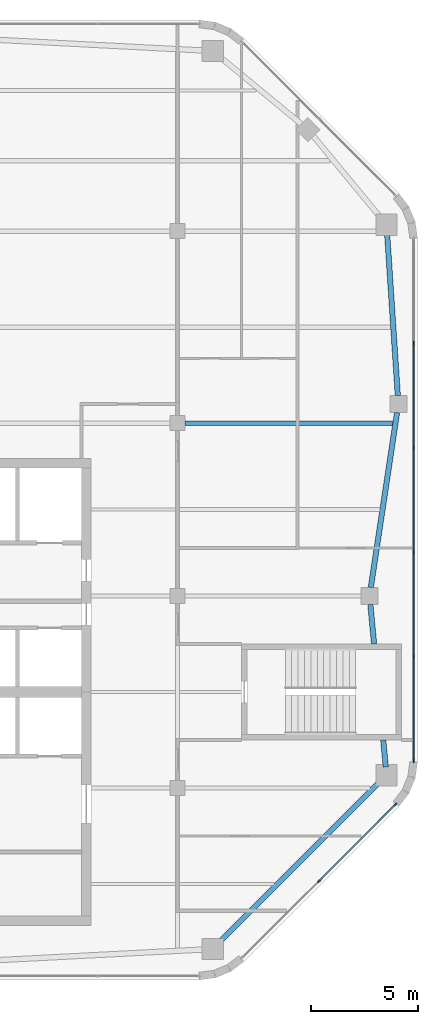
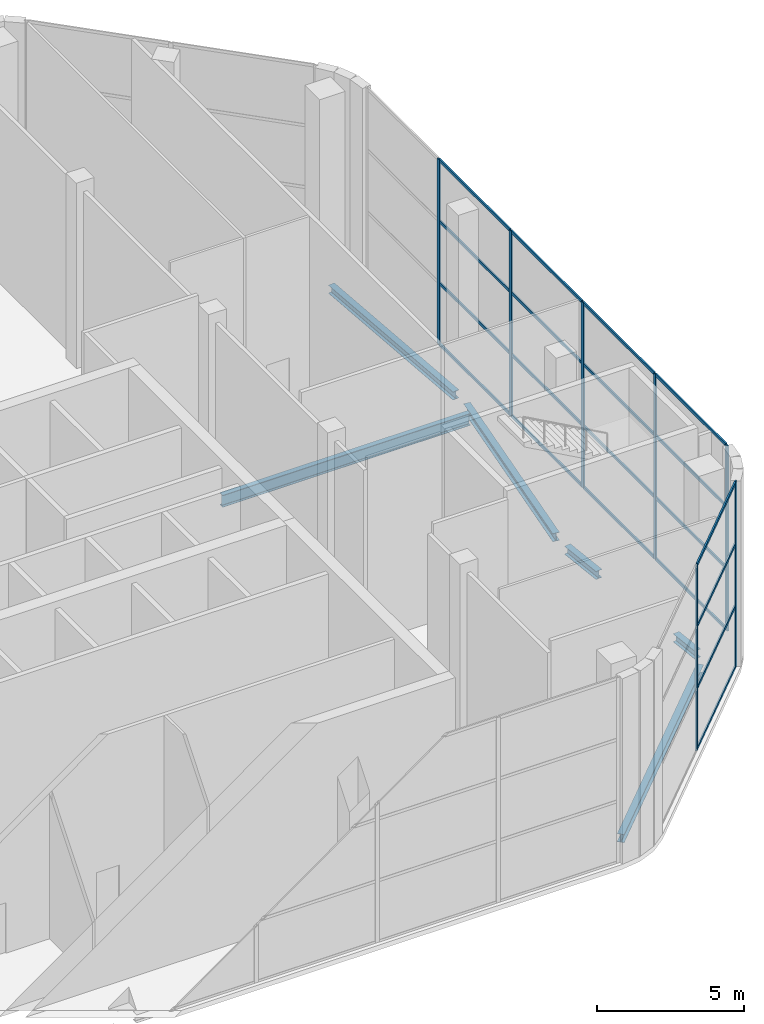
# One storey, part 4 of 12: 27 members, 6 beams, 2 elements without a shape of their own.
"""IFC4 building model written with IfcOpenShell, lengths in metres."""

from ifc_helpers import new_model, si_unit, direction, frame, origin, origin_2d, place, context, subcontext, project, spatial, rectangle, i_section, extrude, material, material_profile, profile_set, type_object, element, aggregate, save


model = new_model("IFC4")

# Units and contexts
model_context = context("Model", 3, precision=1e-05, world=origin(), true_north=direction((0.0, 1.0)))
body_context = subcontext(model_context, "Body", "Model", "MODEL_VIEW")
ifc_project = project(units=[si_unit("LENGTHUNIT", "METRE"), si_unit("AREAUNIT", "SQUARE_METRE"), si_unit("VOLUMEUNIT", "CUBIC_METRE"), si_unit("PLANEANGLEUNIT", "RADIAN"), si_unit("MASSUNIT", "GRAM", prefix="KILO")], contexts=[model_context])

# Site, building, storey
site_placement = place(None, origin())
site = spatial("IfcSite", under=ifc_project, at=site_placement, CompositionType="ELEMENT")
building_placement = place(site_placement, origin())
building = spatial("IfcBuilding", under=site, at=building_placement, Name="Cinnabar Reach Civic Tower", CompositionType="ELEMENT")
storey_placement = place(building_placement, frame((0.0, 0.0, 283.0)))
storey = spatial("IfcBuildingStorey", under=building, at=storey_placement, Name="L68", CompositionType="ELEMENT", Elevation=283.0)

# Beams
ifc_material_1 = material(Name="Steel Q355B", Category="steel")
ifc_material_profile_1 = material_profile(ifc_material_1, i_section(OverallWidth=0.25, OverallDepth=0.34, WebThickness=0.009, FlangeThickness=0.014, FilletRadius=0.013, at=origin_2d()), Name="HM340x250x9x14")
ifc_profile_set_1 = profile_set([ifc_material_profile_1], Name="Steel Q355B")
beam_type_1 = type_object("IfcBeamType", Name="HM340x250x9x14 beam R 180", PredefinedType="BEAM", material=ifc_profile_set_1)
beam_1_placement = place(storey_placement, frame((29.0301, 19.8351, -0.37), z_axis=(0.707106781187, 0.707106781187, 0.0), x_axis=(-0.707106781187, 0.707106781187, 0.0)))
element("IfcBeam", 1, at=beam_1_placement, inside=storey, type_object=beam_type_1, Name="Edge beam T1 L68 4", PredefinedType="BEAM", context=body_context, shape_type="SweptSolid", body=[
    extrude(i_section(OverallWidth=0.25, OverallDepth=0.34, WebThickness=0.009, FlangeThickness=0.014, FilletRadius=0.013, at=origin_2d()), origin(), (0.0, 0.0, 1.0), 10.4437),
])
beam_2_placement = place(storey_placement, frame((36.7607, 27.9839, -0.37), z_axis=(-0.094504338241, 0.995524449752, 0.0), x_axis=(-0.995524449752, -0.094504338241, 0.0)))
element("IfcBeam", 2, at=beam_2_placement, inside=storey, type_object=beam_type_1, Name="Edge beam T1 L68 5", PredefinedType="BEAM", context=body_context, shape_type="SweptSolid", body=[
    extrude(i_section(OverallWidth=0.25, OverallDepth=0.34, WebThickness=0.009, FlangeThickness=0.014, FilletRadius=0.013, at=origin_2d()), origin(), (0.0, 0.0, 1.0), 1.2698),
])
beam_3_placement = place(storey_placement, frame((36.2133, 33.752, -0.37), z_axis=(-0.094483333102, 0.995526443529, 0.0), x_axis=(-0.995526443529, -0.094483333102, 0.0)))
element("IfcBeam", 3, at=beam_3_placement, inside=storey, type_object=beam_type_1, Name="Edge beam T1 L68 6", PredefinedType="BEAM", context=body_context, shape_type="SweptSolid", body=[
    extrude(i_section(OverallWidth=0.25, OverallDepth=0.34, WebThickness=0.009, FlangeThickness=0.014, FilletRadius=0.013, at=origin_2d()), origin(), (0.0, 0.0, 1.0), 1.8543),
])
beam_4_placement = place(storey_placement, frame((36.0603, 36.402, -0.37), z_axis=(0.14834045293, 0.988936352868, 0.0), x_axis=(-0.988936352868, 0.14834045293, 0.0)))
element("IfcBeam", 4, at=beam_4_placement, inside=storey, type_object=beam_type_1, Name="Edge beam T1 L68 7", PredefinedType="BEAM", context=body_context, shape_type="SweptSolid", body=[
    extrude(i_section(OverallWidth=0.25, OverallDepth=0.34, WebThickness=0.009, FlangeThickness=0.014, FilletRadius=0.013, at=origin_2d()), origin(), (0.0, 0.0, 1.0), 8.2877),
])
beam_5_placement = place(storey_placement, frame((37.3235, 45.402, -0.37), z_axis=(-0.065709195057, 0.997838815483, 0.0), x_axis=(-0.997838815483, -0.065709195057, 0.0)))
element("IfcBeam", 5, at=beam_5_placement, inside=storey, type_object=beam_type_1, Name="Edge beam T1 L68 8", PredefinedType="BEAM", context=body_context, shape_type="SweptSolid", body=[
    extrude(i_section(OverallWidth=0.25, OverallDepth=0.34, WebThickness=0.009, FlangeThickness=0.014, FilletRadius=0.013, at=origin_2d()), origin(), (0.0, 0.0, 1.0), 7.6306),
])
ifc_material_profile_2 = material_profile(ifc_material_1, i_section(OverallWidth=0.2, OverallDepth=0.5, WebThickness=0.01, FlangeThickness=0.016, FilletRadius=0.016, at=origin_2d()), Name="HN500x200x10x16")
ifc_profile_set_2 = profile_set([ifc_material_profile_2], Name="Steel Q355B")
beam_type_2 = type_object("IfcBeamType", Name="HN500x200x10x16 beam R 180", PredefinedType="BEAM", material=ifc_profile_set_2)
beam_6_placement = place(storey_placement, frame((27.352, 44.1, -0.45), z_axis=(1.0, 0.0, 0.0), x_axis=(0.0, 1.0, 0.0)))
element("IfcBeam", 6, at=beam_6_placement, inside=storey, type_object=beam_type_2, Name="Girder T1 L68 8", PredefinedType="BEAM", context=body_context, shape_type="SweptSolid", body=[
    extrude(i_section(OverallWidth=0.2, OverallDepth=0.5, WebThickness=0.01, FlangeThickness=0.016, FilletRadius=0.016, at=origin_2d()), origin(), (0.0, 0.0, 1.0), 9.7346),
])

# Curtain wall, members
ifc_material_2 = material(Name="Aluminium and clear double glazing", Category="aluminium")
curtain_wall_type = type_object("IfcCurtainWallType", Name="Observation deck curtain wall", PredefinedType="NOTDEFINED", material=ifc_material_2)
curtain_wall_1_placement = place(storey_placement, origin())
curtain_wall_1 = element("IfcCurtainWall", 7, at=curtain_wall_1_placement, inside=storey, type_object=curtain_wall_type, Name="Observation deck 2", PredefinedType="NOTDEFINED")
ifc_material_3 = material(Name="Aluminium", Category="aluminium")
ifc_material_profile_3 = material_profile(ifc_material_3, rectangle(XDim=0.06, YDim=0.16, at=origin_2d()), Name="Observation deck mullion")
ifc_profile_set_3 = profile_set([ifc_material_profile_3], Name="Aluminium")
member_type_1 = type_object("IfcMemberType", Name="Observation deck mullion", PredefinedType="MULLION", material=ifc_profile_set_3)
member_1_placement = place(storey_placement, frame((33.6227, 22.6273, 0.0), z_axis=(0.0, 0.0, 1.0), x_axis=(-0.707106781187, 0.707106781187, 0.0)))
member_1 = element("IfcMember", 8, at=member_1_placement, type_object=member_type_1, Name="CW-T1OBS-2 mullion 2", PredefinedType="MULLION", context=body_context, shape_type="SweptSolid", body=[
    extrude(rectangle(XDim=0.06, YDim=0.16, at=origin_2d()), origin(), (0.0, 0.0, 1.0), 7.7),
])
member_2_placement = place(storey_placement, frame((37.2228, 26.2274, 0.0), z_axis=(0.0, 0.0, 1.0), x_axis=(-0.707106781187, 0.707106781187, 0.0)))
member_2 = element("IfcMember", 9, at=member_2_placement, type_object=member_type_1, Name="CW-T1OBS-2 mullion 3", PredefinedType="MULLION", context=body_context, shape_type="SweptSolid", body=[
    extrude(rectangle(XDim=0.06, YDim=0.16, at=origin_2d()), origin(), (0.0, 0.0, 1.0), 7.7),
])

curtain_wall_2_placement = place(storey_placement, origin())
curtain_wall_2 = element("IfcCurtainWall", 10, at=curtain_wall_2_placement, inside=storey, type_object=curtain_wall_type, Name="Observation deck 3", PredefinedType="NOTDEFINED")
member_3_placement = place(storey_placement, frame((38.07, 28.2726, 0.0), z_axis=(0.0, 0.0, 1.0), x_axis=(-1.0, 0.0, 0.0)))
member_3 = element("IfcMember", 11, at=member_3_placement, type_object=member_type_1, Name="CW-T1OBS-3 mullion 1", PredefinedType="MULLION", context=body_context, shape_type="SweptSolid", body=[
    extrude(rectangle(XDim=0.06, YDim=0.16, at=origin_2d()), origin(), (0.0, 0.0, 1.0), 7.7),
])
member_4_placement = place(storey_placement, frame((38.07, 33.1456, 0.0), z_axis=(0.0, 0.0, 1.0), x_axis=(-1.0, 0.0, 0.0)))
member_4 = element("IfcMember", 12, at=member_4_placement, type_object=member_type_1, Name="CW-T1OBS-3 mullion 2", PredefinedType="MULLION", context=body_context, shape_type="SweptSolid", body=[
    extrude(rectangle(XDim=0.06, YDim=0.16, at=origin_2d()), origin(), (0.0, 0.0, 1.0), 7.7),
])
member_5_placement = place(storey_placement, frame((38.07, 38.0485, 0.0), z_axis=(0.0, 0.0, 1.0), x_axis=(-1.0, 0.0, 0.0)))
member_5 = element("IfcMember", 13, at=member_5_placement, type_object=member_type_1, Name="CW-T1OBS-3 mullion 3", PredefinedType="MULLION", context=body_context, shape_type="SweptSolid", body=[
    extrude(rectangle(XDim=0.06, YDim=0.16, at=origin_2d()), origin(), (0.0, 0.0, 1.0), 7.7),
])
member_6_placement = place(storey_placement, frame((38.07, 42.9515, 0.0), z_axis=(0.0, 0.0, 1.0), x_axis=(-1.0, 0.0, 0.0)))
member_6 = element("IfcMember", 14, at=member_6_placement, type_object=member_type_1, Name="CW-T1OBS-3 mullion 4", PredefinedType="MULLION", context=body_context, shape_type="SweptSolid", body=[
    extrude(rectangle(XDim=0.06, YDim=0.16, at=origin_2d()), origin(), (0.0, 0.0, 1.0), 7.7),
])
member_7_placement = place(storey_placement, frame((38.07, 47.8544, 0.0), z_axis=(0.0, 0.0, 1.0), x_axis=(-1.0, 0.0, 0.0)))
member_7 = element("IfcMember", 15, at=member_7_placement, type_object=member_type_1, Name="CW-T1OBS-3 mullion 5", PredefinedType="MULLION", context=body_context, shape_type="SweptSolid", body=[
    extrude(rectangle(XDim=0.06, YDim=0.16, at=origin_2d()), origin(), (0.0, 0.0, 1.0), 7.7),
])

# Member
ifc_material_profile_4 = material_profile(ifc_material_3, rectangle(XDim=0.06, YDim=0.12, at=origin_2d()), Name="Observation deck transom")
ifc_profile_set_4 = profile_set([ifc_material_profile_4], Name="Aluminium")
member_type_2 = type_object("IfcMemberType", Name="Observation deck transom", PredefinedType="USERDEFINED", material=ifc_profile_set_4)
member_8_placement = place(storey_placement, frame((33.6439, 22.6485, 0.03), z_axis=(0.707106781187, 0.707106781187, 0.0), x_axis=(-0.707106781187, 0.707106781187, 0.0)))
member_8 = element("IfcMember", 16, at=member_8_placement, type_object=member_type_2, Name="CW-T1OBS-2 transom 2.1", ObjectType="TRANSOM", PredefinedType="USERDEFINED", context=body_context, shape_type="SweptSolid", body=[
    extrude(rectangle(XDim=0.06, YDim=0.12, at=origin_2d()), origin(), (0.0, 0.0, 1.0), 5.0313),
])

member_9_placement = place(storey_placement, frame((33.6439, 22.6485, 2.5667), z_axis=(0.707106781187, 0.707106781187, 0.0), x_axis=(-0.707106781187, 0.707106781187, 0.0)))
member_9 = element("IfcMember", 17, at=member_9_placement, type_object=member_type_2, Name="CW-T1OBS-2 transom 2.2", ObjectType="TRANSOM", PredefinedType="USERDEFINED", context=body_context, shape_type="SweptSolid", body=[
    extrude(rectangle(XDim=0.06, YDim=0.12, at=origin_2d()), origin(), (0.0, 0.0, 1.0), 5.0313),
])

member_10_placement = place(storey_placement, frame((33.6439, 22.6485, 5.1333), z_axis=(0.707106781187, 0.707106781187, 0.0), x_axis=(-0.707106781187, 0.707106781187, 0.0)))
member_10 = element("IfcMember", 18, at=member_10_placement, type_object=member_type_2, Name="CW-T1OBS-2 transom 2.3", ObjectType="TRANSOM", PredefinedType="USERDEFINED", context=body_context, shape_type="SweptSolid", body=[
    extrude(rectangle(XDim=0.06, YDim=0.12, at=origin_2d()), origin(), (0.0, 0.0, 1.0), 5.0313),
])

member_11_placement = place(storey_placement, frame((33.6439, 22.6485, 7.67), z_axis=(0.707106781187, 0.707106781187, 0.0), x_axis=(-0.707106781187, 0.707106781187, 0.0)))
member_11 = element("IfcMember", 19, at=member_11_placement, type_object=member_type_2, Name="CW-T1OBS-2 transom 2.4", ObjectType="TRANSOM", PredefinedType="USERDEFINED", context=body_context, shape_type="SweptSolid", body=[
    extrude(rectangle(XDim=0.06, YDim=0.12, at=origin_2d()), origin(), (0.0, 0.0, 1.0), 5.0313),
])

aggregate(curtain_wall_1, [member_1, member_2, member_8, member_9, member_10, member_11])

member_12_placement = place(storey_placement, frame((38.07, 28.3026, 0.03), z_axis=(0.0, 1.0, 0.0), x_axis=(-1.0, 0.0, 0.0)))
member_12 = element("IfcMember", 20, at=member_12_placement, type_object=member_type_2, Name="CW-T1OBS-3 transom 1.1", ObjectType="TRANSOM", PredefinedType="USERDEFINED", context=body_context, shape_type="SweptSolid", body=[
    extrude(rectangle(XDim=0.06, YDim=0.12, at=origin_2d()), origin(), (0.0, 0.0, 1.0), 4.813),
])

member_13_placement = place(storey_placement, frame((38.07, 28.3026, 2.5667), z_axis=(0.0, 1.0, 0.0), x_axis=(-1.0, 0.0, 0.0)))
member_13 = element("IfcMember", 21, at=member_13_placement, type_object=member_type_2, Name="CW-T1OBS-3 transom 1.2", ObjectType="TRANSOM", PredefinedType="USERDEFINED", context=body_context, shape_type="SweptSolid", body=[
    extrude(rectangle(XDim=0.06, YDim=0.12, at=origin_2d()), origin(), (0.0, 0.0, 1.0), 4.813),
])

member_14_placement = place(storey_placement, frame((38.07, 28.3026, 5.1333), z_axis=(0.0, 1.0, 0.0), x_axis=(-1.0, 0.0, 0.0)))
member_14 = element("IfcMember", 22, at=member_14_placement, type_object=member_type_2, Name="CW-T1OBS-3 transom 1.3", ObjectType="TRANSOM", PredefinedType="USERDEFINED", context=body_context, shape_type="SweptSolid", body=[
    extrude(rectangle(XDim=0.06, YDim=0.12, at=origin_2d()), origin(), (0.0, 0.0, 1.0), 4.813),
])

member_15_placement = place(storey_placement, frame((38.07, 28.3026, 7.67), z_axis=(0.0, 1.0, 0.0), x_axis=(-1.0, 0.0, 0.0)))
member_15 = element("IfcMember", 23, at=member_15_placement, type_object=member_type_2, Name="CW-T1OBS-3 transom 1.4", ObjectType="TRANSOM", PredefinedType="USERDEFINED", context=body_context, shape_type="SweptSolid", body=[
    extrude(rectangle(XDim=0.06, YDim=0.12, at=origin_2d()), origin(), (0.0, 0.0, 1.0), 4.813),
])

member_16_placement = place(storey_placement, frame((38.07, 33.1756, 0.03), z_axis=(0.0, 1.0, 0.0), x_axis=(-1.0, 0.0, 0.0)))
member_16 = element("IfcMember", 24, at=member_16_placement, type_object=member_type_2, Name="CW-T1OBS-3 transom 2.1", ObjectType="TRANSOM", PredefinedType="USERDEFINED", context=body_context, shape_type="SweptSolid", body=[
    extrude(rectangle(XDim=0.06, YDim=0.12, at=origin_2d()), origin(), (0.0, 0.0, 1.0), 4.8429),
])

member_17_placement = place(storey_placement, frame((38.07, 33.1756, 2.5667), z_axis=(0.0, 1.0, 0.0), x_axis=(-1.0, 0.0, 0.0)))
member_17 = element("IfcMember", 25, at=member_17_placement, type_object=member_type_2, Name="CW-T1OBS-3 transom 2.2", ObjectType="TRANSOM", PredefinedType="USERDEFINED", context=body_context, shape_type="SweptSolid", body=[
    extrude(rectangle(XDim=0.06, YDim=0.12, at=origin_2d()), origin(), (0.0, 0.0, 1.0), 4.8429),
])

member_18_placement = place(storey_placement, frame((38.07, 33.1756, 5.1333), z_axis=(0.0, 1.0, 0.0), x_axis=(-1.0, 0.0, 0.0)))
member_18 = element("IfcMember", 26, at=member_18_placement, type_object=member_type_2, Name="CW-T1OBS-3 transom 2.3", ObjectType="TRANSOM", PredefinedType="USERDEFINED", context=body_context, shape_type="SweptSolid", body=[
    extrude(rectangle(XDim=0.06, YDim=0.12, at=origin_2d()), origin(), (0.0, 0.0, 1.0), 4.8429),
])

member_19_placement = place(storey_placement, frame((38.07, 33.1756, 7.67), z_axis=(0.0, 1.0, 0.0), x_axis=(-1.0, 0.0, 0.0)))
member_19 = element("IfcMember", 27, at=member_19_placement, type_object=member_type_2, Name="CW-T1OBS-3 transom 2.4", ObjectType="TRANSOM", PredefinedType="USERDEFINED", context=body_context, shape_type="SweptSolid", body=[
    extrude(rectangle(XDim=0.06, YDim=0.12, at=origin_2d()), origin(), (0.0, 0.0, 1.0), 4.8429),
])

member_20_placement = place(storey_placement, frame((38.07, 38.0785, 0.03), z_axis=(0.0, 1.0, 0.0), x_axis=(-1.0, 0.0, 0.0)))
member_20 = element("IfcMember", 28, at=member_20_placement, type_object=member_type_2, Name="CW-T1OBS-3 transom 3.1", ObjectType="TRANSOM", PredefinedType="USERDEFINED", context=body_context, shape_type="SweptSolid", body=[
    extrude(rectangle(XDim=0.06, YDim=0.12, at=origin_2d()), origin(), (0.0, 0.0, 1.0), 4.843),
])

member_21_placement = place(storey_placement, frame((38.07, 38.0785, 2.5667), z_axis=(0.0, 1.0, 0.0), x_axis=(-1.0, 0.0, 0.0)))
member_21 = element("IfcMember", 29, at=member_21_placement, type_object=member_type_2, Name="CW-T1OBS-3 transom 3.2", ObjectType="TRANSOM", PredefinedType="USERDEFINED", context=body_context, shape_type="SweptSolid", body=[
    extrude(rectangle(XDim=0.06, YDim=0.12, at=origin_2d()), origin(), (0.0, 0.0, 1.0), 4.843),
])

member_22_placement = place(storey_placement, frame((38.07, 38.0785, 5.1333), z_axis=(0.0, 1.0, 0.0), x_axis=(-1.0, 0.0, 0.0)))
member_22 = element("IfcMember", 30, at=member_22_placement, type_object=member_type_2, Name="CW-T1OBS-3 transom 3.3", ObjectType="TRANSOM", PredefinedType="USERDEFINED", context=body_context, shape_type="SweptSolid", body=[
    extrude(rectangle(XDim=0.06, YDim=0.12, at=origin_2d()), origin(), (0.0, 0.0, 1.0), 4.843),
])

member_23_placement = place(storey_placement, frame((38.07, 38.0785, 7.67), z_axis=(0.0, 1.0, 0.0), x_axis=(-1.0, 0.0, 0.0)))
member_23 = element("IfcMember", 31, at=member_23_placement, type_object=member_type_2, Name="CW-T1OBS-3 transom 3.4", ObjectType="TRANSOM", PredefinedType="USERDEFINED", context=body_context, shape_type="SweptSolid", body=[
    extrude(rectangle(XDim=0.06, YDim=0.12, at=origin_2d()), origin(), (0.0, 0.0, 1.0), 4.843),
])

member_24_placement = place(storey_placement, frame((38.07, 42.9815, 0.03), z_axis=(0.0, 1.0, 0.0), x_axis=(-1.0, 0.0, 0.0)))
member_24 = element("IfcMember", 32, at=member_24_placement, type_object=member_type_2, Name="CW-T1OBS-3 transom 4.1", ObjectType="TRANSOM", PredefinedType="USERDEFINED", context=body_context, shape_type="SweptSolid", body=[
    extrude(rectangle(XDim=0.06, YDim=0.12, at=origin_2d()), origin(), (0.0, 0.0, 1.0), 4.8429),
])

member_25_placement = place(storey_placement, frame((38.07, 42.9815, 2.5667), z_axis=(0.0, 1.0, 0.0), x_axis=(-1.0, 0.0, 0.0)))
member_25 = element("IfcMember", 33, at=member_25_placement, type_object=member_type_2, Name="CW-T1OBS-3 transom 4.2", ObjectType="TRANSOM", PredefinedType="USERDEFINED", context=body_context, shape_type="SweptSolid", body=[
    extrude(rectangle(XDim=0.06, YDim=0.12, at=origin_2d()), origin(), (0.0, 0.0, 1.0), 4.8429),
])

member_26_placement = place(storey_placement, frame((38.07, 42.9815, 5.1333), z_axis=(0.0, 1.0, 0.0), x_axis=(-1.0, 0.0, 0.0)))
member_26 = element("IfcMember", 34, at=member_26_placement, type_object=member_type_2, Name="CW-T1OBS-3 transom 4.3", ObjectType="TRANSOM", PredefinedType="USERDEFINED", context=body_context, shape_type="SweptSolid", body=[
    extrude(rectangle(XDim=0.06, YDim=0.12, at=origin_2d()), origin(), (0.0, 0.0, 1.0), 4.8429),
])

member_27_placement = place(storey_placement, frame((38.07, 42.9815, 7.67), z_axis=(0.0, 1.0, 0.0), x_axis=(-1.0, 0.0, 0.0)))
member_27 = element("IfcMember", 35, at=member_27_placement, type_object=member_type_2, Name="CW-T1OBS-3 transom 4.4", ObjectType="TRANSOM", PredefinedType="USERDEFINED", context=body_context, shape_type="SweptSolid", body=[
    extrude(rectangle(XDim=0.06, YDim=0.12, at=origin_2d()), origin(), (0.0, 0.0, 1.0), 4.8429),
])

aggregate(curtain_wall_2, [member_3, member_4, member_5, member_6, member_7, member_12, member_13, member_14, member_15, member_16, member_17, member_18, member_19, member_20, member_21, member_22, member_23, member_24, member_25, member_26, member_27])

save(model, "model.ifc")
